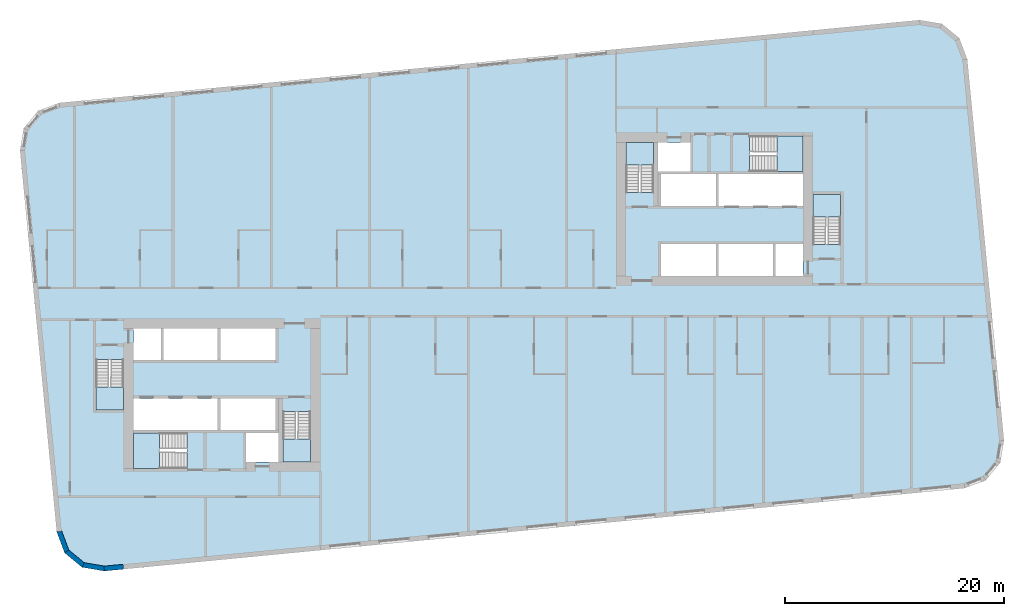
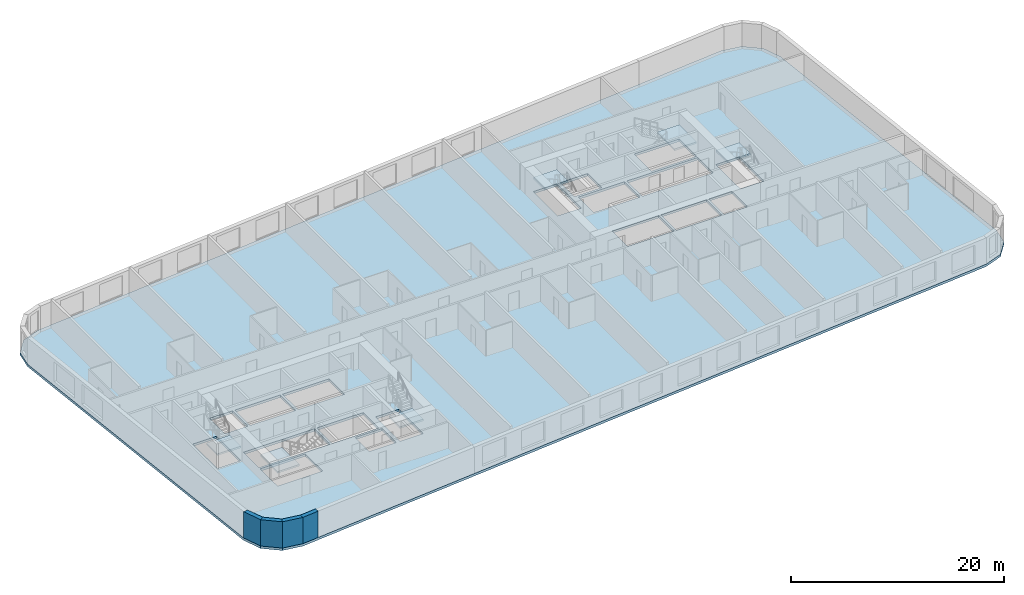
# One storey, part 1 of 12: 7 slabs, 4 walls, 6 elements without a shape of their own.
"""IFC4 building model written with IfcOpenShell, lengths in metres."""

import ifcopenshell
import ifcopenshell.guid

model = None  # the IFC model being written
_history = None  # IfcOwnerHistory: only IFC2X3 demands one
_inside = {}  # id of a spatial element -> (the spatial element, [elements in it])
_under = {}  # id of a project, library or spatial element -> (it, [spatial elements below it])
_declared = {}  # id of a project -> (the project, [libraries it declares])
_typed = {}  # id of a type object -> (the type object, [elements of that type])
_made_of = {}  # id of a material, layer set ... -> (it, [elements and type objects made of it])


def new_model(schema):
    """Start an empty IFC model of exactly this schema.

    Asked for "IFC4X3", IfcOpenShell would pick the latest addendum, in which some entities
    have other attributes; the version numbers below select the first issue.
    IFC2X3 requires an IfcOwnerHistory on every rooted entity: one is made here for all.
    """
    global model, _history
    if schema == "IFC4X3":
        model = ifcopenshell.file(schema_version=(4, 3, 0, 0))
    else:
        model = ifcopenshell.file(schema=schema)
    _inside.clear()
    _under.clear()
    _declared.clear()
    _typed.clear()
    _made_of.clear()
    _history = None
    if model.schema == "IFC2X3":
        org = make("IfcOrganization", Name="unknown")
        user = make(
            "IfcPersonAndOrganization",
            ThePerson=make("IfcPerson", FamilyName="unknown"),
            TheOrganization=org,
        )
        app = make(
            "IfcApplication",
            ApplicationDeveloper=org,
            Version="unknown",
            ApplicationFullName="unknown",
            ApplicationIdentifier="unknown",
        )
        _history = make(
            "IfcOwnerHistory",
            OwningUser=user,
            OwningApplication=app,
            ChangeAction="ADDED",
            CreationDate=0,
        )
    return model


def make(cls, **values):
    """One entity of the class cls with the attributes given. An attribute that is None is left unset."""
    return model.create_entity(
        cls, **{name: value for name, value in values.items() if value is not None}
    )


def rooted(cls, **values):
    """An entity with a GlobalId (a new one), such as an element, a storey or a relation."""
    return make(cls, GlobalId=ifcopenshell.guid.new(), OwnerHistory=_history, **values)


def si_unit(unit_type, name, prefix=None):
    """IfcSIUnit, for example si_unit("LENGTHUNIT", "METRE", prefix="MILLI")."""
    return make("IfcSIUnit", UnitType=unit_type, Prefix=prefix, Name=name)


def assignment(units):
    """IfcUnitAssignment: the units of a project."""
    return None if units is None else make("IfcUnitAssignment", Units=units)


def point(xyz):
    """IfcCartesianPoint."""
    return None if xyz is None else make("IfcCartesianPoint", Coordinates=xyz)


def direction(xyz):
    """IfcDirection."""
    return None if xyz is None else make("IfcDirection", DirectionRatios=xyz)


def frame(location, z_axis=None, x_axis=None):
    """IfcAxis2Placement3D, a coordinate frame: its origin and axes. An axis left out is left unset."""
    return make(
        "IfcAxis2Placement3D",
        Location=point(location),
        Axis=direction(z_axis),
        RefDirection=direction(x_axis),
    )


def frame_2d(location, x_axis=None):
    """IfcAxis2Placement2D, a coordinate frame in the plane: its origin and x axis."""
    return make(
        "IfcAxis2Placement2D", Location=point(location), RefDirection=direction(x_axis)
    )


def origin():
    """The frame at (0, 0, 0) with its axes left unset."""
    return frame((0.0, 0.0, 0.0))


def place(relative_to, where):
    """IfcLocalPlacement: puts the frame where relative to a parent placement (None: the world)."""
    return make(
        "IfcLocalPlacement", PlacementRelTo=relative_to, RelativePlacement=where
    )


def context(
    kind, dimensions, precision=None, world=None, true_north=None, identifier=None
):
    """IfcGeometricRepresentationContext, for example the 3D "Model" context."""
    return make(
        "IfcGeometricRepresentationContext",
        ContextIdentifier=identifier,
        ContextType=kind,
        CoordinateSpaceDimension=dimensions,
        Precision=precision,
        WorldCoordinateSystem=world,
        TrueNorth=true_north,
    )


def subcontext(parent, identifier, kind, view, scale=None):
    """IfcGeometricRepresentationSubContext, for example "Body" below "Model"."""
    return make(
        "IfcGeometricRepresentationSubContext",
        ContextIdentifier=identifier,
        ContextType=kind,
        ParentContext=parent,
        TargetScale=scale,
        TargetView=view,
    )


def project(units=None, contexts=None):
    """IfcProject with its units and contexts."""
    return rooted(
        "IfcProject",
        Name="project",
        RepresentationContexts=contexts,
        UnitsInContext=assignment(units),
    )


def spatial(cls, under=None, at=None, **own):
    """A site, building, storey or space (cls), placed at a placement, below another one or the project."""
    s = rooted(cls, ObjectPlacement=at, **own)
    if under is not None:
        _under.setdefault(under.id(), (under, []))[1].append(s)
    return s


def polyline(points):
    """IfcPolyline through the points."""
    return make("IfcPolyline", Points=[point(p) for p in points])


def profile(cls, at=None, kind="AREA", **sizes):
    """A parametric profile (cls). Its sizes go by their IFC names, for example OverallWidth=200.0."""
    return make(cls, ProfileType=kind, Position=at, **sizes)


def rectangle(**sizes):
    """IfcRectangleProfileDef."""
    return profile("IfcRectangleProfileDef", **sizes)


def outline(outer, holes=None, kind="AREA"):
    """IfcArbitraryClosedProfileDef: a profile drawn as a closed curve; with holes, ...WithVoids."""
    if holes is None:
        return make("IfcArbitraryClosedProfileDef", ProfileType=kind, OuterCurve=outer)
    return make(
        "IfcArbitraryProfileDefWithVoids",
        ProfileType=kind,
        OuterCurve=outer,
        InnerCurves=holes,
    )


def extrude(swept, where, along, depth):
    """IfcExtrudedAreaSolid: the profile swept, set in the frame where, extruded along a direction by depth."""
    return make(
        "IfcExtrudedAreaSolid",
        SweptArea=swept,
        Position=where,
        ExtrudedDirection=direction(along),
        Depth=depth,
    )


def shape(context_of_items, identifier, shape_type, items):
    """IfcShapeRepresentation: the items that make up one representation, for example the "Body"."""
    return make(
        "IfcShapeRepresentation",
        ContextOfItems=context_of_items,
        RepresentationIdentifier=identifier,
        RepresentationType=shape_type,
        Items=items,
    )


def material(Name=None, Category=None):
    """IfcMaterial."""
    return make("IfcMaterial", Name=Name, Category=Category)


def layer(
    of_material, thickness, ventilated=None, Name=None, Category=None, Priority=None
):
    """IfcMaterialLayer: one layer of a wall or slab, of a material (None: an air gap)."""
    return make(
        "IfcMaterialLayer",
        Material=of_material,
        LayerThickness=thickness,
        IsVentilated=ventilated,
        Name=Name,
        Category=Category,
        Priority=Priority,
    )


def layer_set(layers, Name=None):
    """IfcMaterialLayerSet."""
    return make("IfcMaterialLayerSet", MaterialLayers=layers, LayerSetName=Name)


def made_of(thing, what):
    """Note that an element or type object is made of a material, layer set ...; save() writes the relation."""
    if what is not None:
        _made_of.setdefault(what.id(), (what, []))[1].append(thing)
    return thing


def type_object(cls, material=None, **own):
    """A type object (cls), such as IfcWallType, which elements share."""
    return made_of(rooted(cls, **own), material)


def element(
    cls,
    number,
    at=None,
    inside=None,
    cuts=None,
    type_object=None,
    material=None,
    context=None,
    identifier="Body",
    shape_type=None,
    held_by="IfcProductDefinitionShape",
    body=None,
    shapes=None,
    **own,
):
    """One element of the class cls, such as IfcWall. Its Tag is "e" and its number.

    at: its placement. inside: the storey or other place that contains it. cuts: it is an
    opening in that element (IfcRelVoidsElement). A single representation is given by context,
    identifier, shape_type and body (its items); several are given by shapes. held_by: the class
    of the entity that holds the representations. save() writes the other relations.
    """
    e = rooted(cls, Tag="e%d" % number, ObjectPlacement=at, **own)
    if body is not None:
        shapes = [shape(context, identifier, shape_type, body)]
    if shapes is not None:
        e.Representation = make(held_by, Representations=shapes)
    if inside is not None:
        _inside.setdefault(inside.id(), (inside, []))[1].append(e)
    if cuts is not None:
        rooted(
            "IfcRelVoidsElement", RelatingBuildingElement=cuts, RelatedOpeningElement=e
        )
    if type_object is not None:
        _typed.setdefault(type_object.id(), (type_object, []))[1].append(e)
    return made_of(e, material)


def aggregate(whole, parts):
    """IfcRelAggregates: a whole, such as a stair, and the parts it consists of."""
    return rooted("IfcRelAggregates", RelatingObject=whole, RelatedObjects=parts)


def save(model, path):
    """Write the relations noted so far, then the file.

    IfcRelAggregates (storeys below a building ...), IfcRelContainedInSpatialStructure (elements
    in a storey), IfcRelDefinesByType, IfcRelAssociatesMaterial and IfcRelDeclares: one each for
    every whole, place, type object, material and project.
    """
    for whole, parts in _under.values():
        aggregate(whole, parts)
    for where, things in _inside.values():
        rooted(
            "IfcRelContainedInSpatialStructure",
            RelatedElements=things,
            RelatingStructure=where,
        )
    for kind, things in _typed.values():
        rooted("IfcRelDefinesByType", RelatedObjects=things, RelatingType=kind)
    for what, things in _made_of.values():
        rooted("IfcRelAssociatesMaterial", RelatedObjects=things, RelatingMaterial=what)
    for by, libraries in _declared.values():
        rooted("IfcRelDeclares", RelatingContext=by, RelatedDefinitions=libraries)
    model.write(path)


model = new_model("IFC4")

# Units and contexts
model_context = context("Model", 3, precision=1e-05, world=origin(), true_north=direction((0.0, 1.0)))
body_context = subcontext(model_context, "Body", "Model", "MODEL_VIEW")
ifc_project = project(units=[si_unit("LENGTHUNIT", "METRE"), si_unit("AREAUNIT", "SQUARE_METRE"), si_unit("VOLUMEUNIT", "CUBIC_METRE"), si_unit("PLANEANGLEUNIT", "RADIAN"), si_unit("MASSUNIT", "GRAM", prefix="KILO")], contexts=[model_context])

# Site, building, storey
site_placement = place(None, origin())
site = spatial("IfcSite", under=ifc_project, at=site_placement, CompositionType="ELEMENT")
building_placement = place(site_placement, origin())
building = spatial("IfcBuilding", under=site, at=building_placement, Name="Kajstack Hotel Tower", CompositionType="ELEMENT")
storey_placement = place(building_placement, frame((0.0, 0.0, 143.800048828125)))
storey = spatial("IfcBuildingStorey", under=building, at=storey_placement, Name="L33", CompositionType="ELEMENT", Elevation=143.800048828125)

# Slab
ifc_material_1 = material(Name="Concrete C40/50", Category="concrete")
ifc_layer_1 = layer(ifc_material_1, 0.280029296875)
ifc_layer_set_1 = layer_set([ifc_layer_1], Name="RC slab 280 C40/50 guest")
slab_type_1 = type_object("IfcSlabType", Name="RC slab 280 C40/50 guest", PredefinedType="FLOOR", material=ifc_layer_set_1)
slab_1_placement = place(storey_placement, frame((0.0, 0.0, -0.280029296875)))
element("IfcSlab", 1, at=slab_1_placement, inside=storey, type_object=slab_type_1, Name="S-slab-L33", PredefinedType="FLOOR", context=body_context, shape_type="SweptSolid", body=[
    extrude(outline(polyline([(-40.97705078125, 13.85009765625), (-37.622314453125, -20.98876953125), (-36.897216796875, -22.92822265625), (-35.299560546875, -24.2451171875), (-33.257568359375, -24.5869140625), (45.37890625, -17.01513671875), (47.318359375, -16.2900390625), (48.63525390625, -14.6923828125), (48.97705078125, -12.650146484375), (45.622314453125, 22.188720703125), (44.897216796875, 24.128173828125), (43.299560546875, 25.4453125), (41.257568359375, 25.786865234375), (-37.37890625, 18.215087890625), (-39.318359375, 17.489990234375), (-40.63525390625, 15.892333984375), (-40.97705078125, 13.85009765625)]), holes=[polyline([(-30.60009765625, -11.699951171875), (-30.60009765625, -8.800048828125), (-22.89990234375, -8.800048828125), (-22.89990234375, -11.699951171875), (-30.60009765625, -11.699951171875)]), polyline([(-22.64990234375, -11.699951171875), (-22.64990234375, -8.800048828125), (-17.60009765625, -8.800048828125), (-17.60009765625, -11.699951171875), (-22.64990234375, -11.699951171875)]), polyline([(-27.85009765625, -5.300048828125), (-27.85009765625, -2.39990234375), (-22.89990234375, -2.39990234375), (-22.89990234375, -5.300048828125), (-27.85009765625, -5.300048828125)]), polyline([(-22.64990234375, -5.300048828125), (-22.64990234375, -2.39990234375), (-17.60009765625, -2.39990234375), (-17.60009765625, -5.300048828125), (-22.64990234375, -5.300048828125)]), polyline([(-20.300048828125, -14.60009765625), (-17.35009765625, -14.60009765625), (-17.35009765625, -11.949951171875), (-20.300048828125, -11.949951171875), (-20.300048828125, -14.60009765625)]), polyline([(-30.60009765625, -5.300048828125), (-28.10009765625, -5.300048828125), (-28.10009765625, -2.39990234375), (-30.60009765625, -2.39990234375), (-30.60009765625, -5.300048828125)]), polyline([(22.89990234375, 8.800048828125), (22.89990234375, 11.699951171875), (30.60009765625, 11.699951171875), (30.60009765625, 8.800048828125), (22.89990234375, 8.800048828125)]), polyline([(17.60009765625, 8.800048828125), (17.60009765625, 11.699951171875), (22.64990234375, 11.699951171875), (22.64990234375, 8.800048828125), (17.60009765625, 8.800048828125)]), polyline([(22.89990234375, 2.39990234375), (22.89990234375, 5.300048828125), (27.85009765625, 5.300048828125), (27.85009765625, 2.39990234375), (22.89990234375, 2.39990234375)]), polyline([(17.60009765625, 2.39990234375), (17.60009765625, 5.300048828125), (22.64990234375, 5.300048828125), (22.64990234375, 2.39990234375), (17.60009765625, 2.39990234375)]), polyline([(20.300048828125, 14.60009765625), (17.35009765625, 14.60009765625), (17.35009765625, 11.949951171875), (20.300048828125, 11.949951171875), (20.300048828125, 14.60009765625)]), polyline([(30.60009765625, 5.300048828125), (28.10009765625, 5.300048828125), (28.10009765625, 2.39990234375), (30.60009765625, 2.39990234375), (30.60009765625, 5.300048828125)]), polyline([(-34.050048828125, -9.85009765625), (-31.5, -9.85009765625), (-31.5, -5.25), (-34.050048828125, -5.25), (-34.050048828125, -9.85009765625)]), polyline([(-16.949951171875, -14.60009765625), (-14.39990234375, -14.60009765625), (-14.39990234375, -10.0), (-16.949951171875, -10.0), (-16.949951171875, -14.60009765625)]), polyline([(-30.60009765625, -15.199951171875), (-25.699951171875, -15.199951171875), (-25.699951171875, -11.949951171875), (-30.60009765625, -11.949951171875), (-30.60009765625, -15.199951171875)]), polyline([(34.050048828125, 9.85009765625), (31.5, 9.85009765625), (31.5, 5.25), (34.050048828125, 5.25), (34.050048828125, 9.85009765625)]), polyline([(16.949951171875, 14.60009765625), (14.39990234375, 14.60009765625), (14.39990234375, 10.0), (16.949951171875, 10.0), (16.949951171875, 14.60009765625)]), polyline([(30.60009765625, 15.199951171875), (25.699951171875, 15.199951171875), (25.699951171875, 11.949951171875), (30.60009765625, 11.949951171875), (30.60009765625, 15.199951171875)])]), origin(), (0.0, 0.0, 1.0), 0.280029296875),
])

# Stair, slab
stair_type_1 = type_object("IfcStairType", Name="Exit stair 1200", PredefinedType="HALF_TURN_STAIR", material=ifc_material_1)
stair_1_placement = place(storey_placement, origin())
stair_1 = element("IfcStair", 2, at=stair_1_placement, inside=storey, type_object=stair_type_1, Name="L33 stair W1", PredefinedType="HALF_TURN_STAIR")
ifc_layer_2 = layer(ifc_material_1, 0.199951171875)
ifc_layer_set_2 = layer_set([ifc_layer_2], Name="Stair landing 200")
slab_type_2 = type_object("IfcSlabType", Name="Stair landing 200", PredefinedType="LANDING", material=ifc_layer_set_2)
slab_2_placement = place(storey_placement, frame((0.0, 0.0, 1.449951171875)))
slab_2 = element("IfcSlab", 3, at=slab_2_placement, type_object=slab_type_2, Name="W1 landing 1", PredefinedType="LANDING", context=body_context, shape_type="SweptSolid", body=[
    extrude(outline(polyline([(-34.050048828125, -7.77001953125), (-34.050048828125, -9.85009765625), (-31.5, -9.85009765625), (-31.5, -7.77001953125), (-34.050048828125, -7.77001953125)])), origin(), (0.0, 0.0, 1.0), 0.199951171875),
])
aggregate(stair_1, [slab_2])

stair_2_placement = place(storey_placement, origin())
stair_2 = element("IfcStair", 4, at=stair_2_placement, inside=storey, type_object=stair_type_1, Name="L33 stair W2", PredefinedType="HALF_TURN_STAIR")
slab_3_placement = place(storey_placement, frame((0.0, 0.0, 1.449951171875)))
slab_3 = element("IfcSlab", 5, at=slab_3_placement, type_object=slab_type_2, Name="W2 landing 1", PredefinedType="LANDING", context=body_context, shape_type="SweptSolid", body=[
    extrude(outline(polyline([(-16.949951171875, -12.52001953125), (-16.949951171875, -14.60009765625), (-14.39990234375, -14.60009765625), (-14.39990234375, -12.52001953125), (-16.949951171875, -12.52001953125)])), origin(), (0.0, 0.0, 1.0), 0.199951171875),
])
aggregate(stair_2, [slab_3])

stair_type_2 = type_object("IfcStairType", Name="Exit stair 1500", PredefinedType="HALF_TURN_STAIR", material=ifc_material_1)
stair_3_placement = place(storey_placement, origin())
stair_3 = element("IfcStair", 6, at=stair_3_placement, inside=storey, type_object=stair_type_2, Name="L33 stair W3", PredefinedType="HALF_TURN_STAIR")
slab_4_placement = place(storey_placement, frame((0.0, 0.0, 1.449951171875)))
slab_4 = element("IfcSlab", 7, at=slab_4_placement, type_object=slab_type_2, Name="W3 landing 1", PredefinedType="LANDING", context=body_context, shape_type="SweptSolid", body=[
    extrude(outline(polyline([(-28.219970703125, -11.949951171875), (-30.60009765625, -11.949951171875), (-30.60009765625, -15.199951171875), (-28.219970703125, -15.199951171875), (-28.219970703125, -11.949951171875)])), origin(), (0.0, 0.0, 1.0), 0.199951171875),
])
aggregate(stair_3, [slab_4])

stair_4_placement = place(storey_placement, origin())
stair_4 = element("IfcStair", 8, at=stair_4_placement, inside=storey, type_object=stair_type_1, Name="L33 stair E1", PredefinedType="HALF_TURN_STAIR")
slab_5_placement = place(storey_placement, frame((0.0, 0.0, 1.449951171875)))
slab_5 = element("IfcSlab", 9, at=slab_5_placement, type_object=slab_type_2, Name="E1 landing 1", PredefinedType="LANDING", context=body_context, shape_type="SweptSolid", body=[
    extrude(outline(polyline([(34.050048828125, 7.77001953125), (34.050048828125, 9.85009765625), (31.5, 9.85009765625), (31.5, 7.77001953125), (34.050048828125, 7.77001953125)])), origin(), (0.0, 0.0, 1.0), 0.199951171875),
])
aggregate(stair_4, [slab_5])

stair_5_placement = place(storey_placement, origin())
stair_5 = element("IfcStair", 10, at=stair_5_placement, inside=storey, type_object=stair_type_1, Name="L33 stair E2", PredefinedType="HALF_TURN_STAIR")
slab_6_placement = place(storey_placement, frame((0.0, 0.0, 1.449951171875)))
slab_6 = element("IfcSlab", 11, at=slab_6_placement, type_object=slab_type_2, Name="E2 landing 1", PredefinedType="LANDING", context=body_context, shape_type="SweptSolid", body=[
    extrude(outline(polyline([(16.949951171875, 12.52001953125), (16.949951171875, 14.60009765625), (14.39990234375, 14.60009765625), (14.39990234375, 12.52001953125), (16.949951171875, 12.52001953125)])), origin(), (0.0, 0.0, 1.0), 0.199951171875),
])
aggregate(stair_5, [slab_6])

stair_6_placement = place(storey_placement, origin())
stair_6 = element("IfcStair", 12, at=stair_6_placement, inside=storey, type_object=stair_type_2, Name="L33 stair E3", PredefinedType="HALF_TURN_STAIR")
slab_7_placement = place(storey_placement, frame((0.0, 0.0, 1.449951171875)))
slab_7 = element("IfcSlab", 13, at=slab_7_placement, type_object=slab_type_2, Name="E3 landing 1", PredefinedType="LANDING", context=body_context, shape_type="SweptSolid", body=[
    extrude(outline(polyline([(28.219970703125, 11.949951171875), (30.60009765625, 11.949951171875), (30.60009765625, 15.199951171875), (28.219970703125, 15.199951171875), (28.219970703125, 11.949951171875)])), origin(), (0.0, 0.0, 1.0), 0.199951171875),
])
aggregate(stair_6, [slab_7])

# Walls
ifc_material_2 = material(Name="Terracotta-faced brick masonry", Category="masonry")
ifc_layer_3 = layer(ifc_material_2, 0.449951171875)
ifc_layer_set_3 = layer_set([ifc_layer_3], Name="EW-TERRA")
wall_type = type_object("IfcWallType", Name="EW-TERRA", PredefinedType="SOLIDWALL", material=ifc_layer_set_3)
for number, where, z_axis, x_axis, name in (
    (14, (-37.41162109375, -20.909912109375, 0.0), (0.0, 0.0, 1.0), (0.350192909346, -0.936677599948, 0.0), "E-wall-L33-01-00"),
    (15, (-36.754150390625, -22.754638671875, 0.0), (0.0, 0.0, 1.0), (0.771651049663, -0.636046112757, 0.0), "E-wall-L33-02-00"),
):
    element("IfcWall", number, at=place(storey_placement, frame(where, z_axis=z_axis, x_axis=x_axis)), inside=storey, type_object=wall_type, Name=name, PredefinedType="SOLIDWALL", context=body_context, shape_type="SweptSolid", body=[
        extrude(outline(polyline([(0.0, -0.22509765625), (2.070556640625, -0.22509765625), (1.949951171875, 0.224853515625), (0.12060546875, 0.22509765625), (0.0, -0.22509765625)])), origin(), (0.0, 0.0, 1.0), 3.02001953125),
    ])
wall_1_placement = place(storey_placement, frame((-35.262451171875, -24.023193359375, 0.0), z_axis=(0.0, 0.0, 1.0), x_axis=(0.986278951104, -0.165087342366, 0.0)))
element("IfcWall", 16, at=wall_1_placement, inside=storey, type_object=wall_type, Name="E-wall-L33-03-00", PredefinedType="SOLIDWALL", context=body_context, shape_type="SweptSolid", body=[
    extrude(outline(polyline([(0.0, -0.22509765625), (2.070556640625, -0.22509765625), (1.949951171875, 0.22509765625), (0.12060546875, 0.224853515625), (0.0, -0.22509765625)])), origin(), (0.0, 0.0, 1.0), 3.02001953125),
])
wall_2_placement = place(storey_placement, frame((-33.279052734375, -24.363037109375, 0.0), z_axis=(0.0, 0.0, 1.0), x_axis=(0.995385439311, 0.095957423931, 0.0)))
element("IfcWall", 17, at=wall_2_placement, inside=storey, type_object=wall_type, Name="E-wall-L33-04-00", PredefinedType="SOLIDWALL", context=body_context, shape_type="SweptSolid", body=[
    extrude(rectangle(XDim=1.765625, YDim=0.449951171875, at=frame_2d((0.8828125, 0.0))), origin(), (0.0, 0.0, 1.0), 3.02001953125),
])

save(model, "model.ifc")
